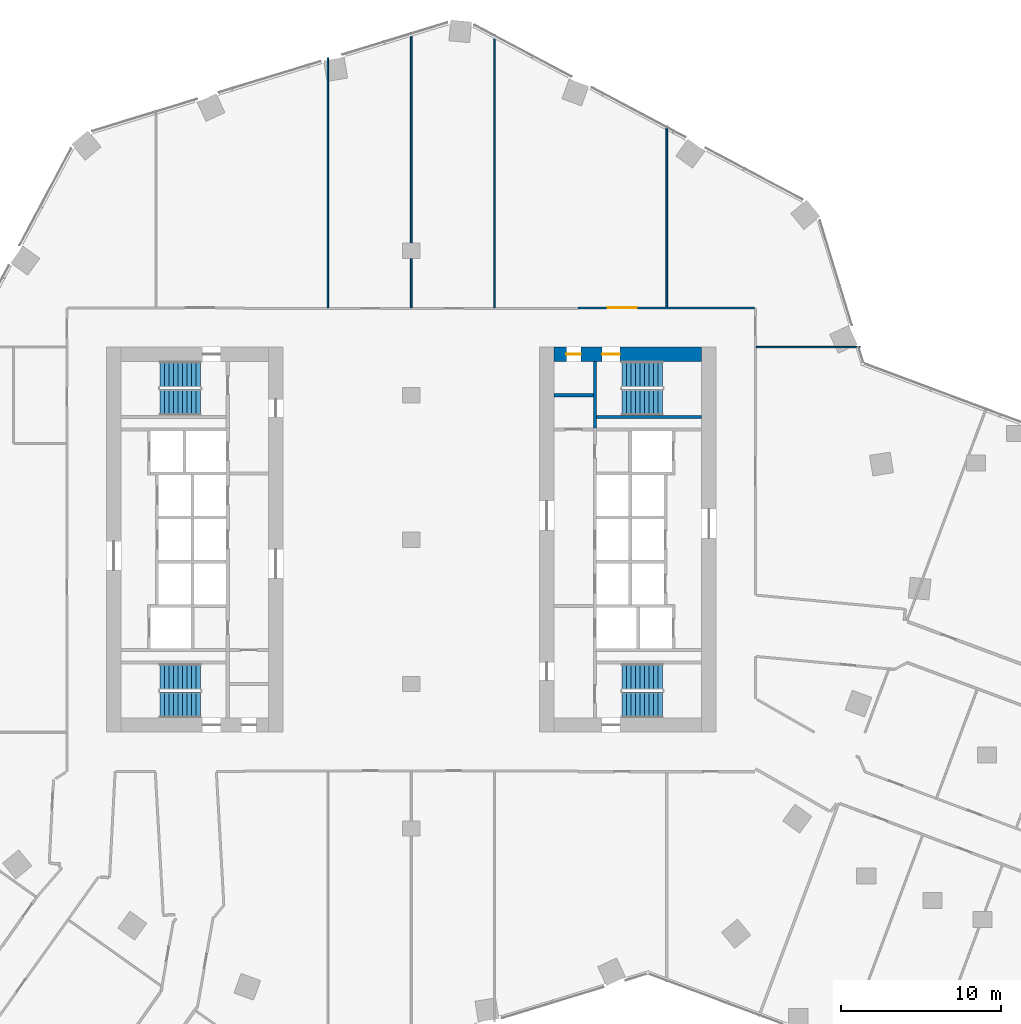
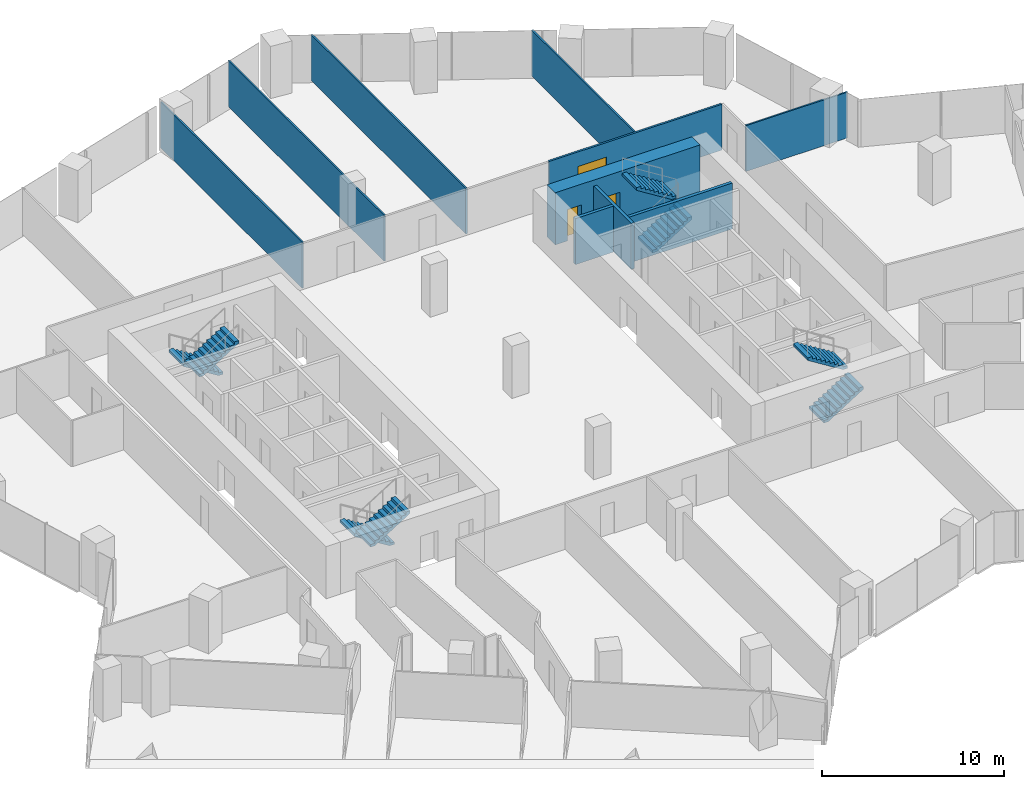
# One storey, part 28 of 31: 10 walls, 8 stair flights, 3 doors, 3 openings, 4 elements without a shape of their own.
"""IFC4 building model written with IfcOpenShell, lengths in metres."""

from ifc_helpers import new_model, si_unit, direction, frame, frame_2d, origin, place, context, subcontext, project, spatial, polyline, rectangle, outline, extrude, material, layer, layer_set, type_object, element, fill, aggregate, save


model = new_model("IFC4")

# Units and contexts
model_context = context("Model", 3, precision=1e-05, world=origin(), true_north=direction((0.0, 1.0)))
body_context = subcontext(model_context, "Body", "Model", "MODEL_VIEW")
ifc_project = project(units=[si_unit("LENGTHUNIT", "METRE"), si_unit("AREAUNIT", "SQUARE_METRE"), si_unit("VOLUMEUNIT", "CUBIC_METRE"), si_unit("PLANEANGLEUNIT", "RADIAN"), si_unit("MASSUNIT", "GRAM", prefix="KILO")], contexts=[model_context])

# Site, building, storey
site_placement = place(None, origin())
site = spatial("IfcSite", under=ifc_project, at=site_placement, CompositionType="ELEMENT")
building_placement = place(site_placement, origin())
building = spatial("IfcBuilding", under=site, at=building_placement, Name="Orlundy Tower", CompositionType="ELEMENT")
storey_placement = place(building_placement, frame((0.0, 0.0, 84.199951171875)))
storey = spatial("IfcBuildingStorey", under=building, at=storey_placement, Name="L20", CompositionType="ELEMENT", Elevation=84.199951171875)

# Wall, openings, doors
ifc_material_1 = material(Name="Concrete C80/95", Category="concrete")
ifc_layer_1 = layer(ifc_material_1, 0.89990234375)
ifc_layer_set_1 = layer_set([ifc_layer_1], Name="CORE WALL 900 C80/95")
wall_type_1 = type_object("IfcWallType", Name="CORE WALL 900 C80/95", PredefinedType="SHEAR", material=ifc_layer_set_1)
wall_1_placement = place(storey_placement, frame((8.89990234375, 11.550048828125, 0.0), z_axis=(0.0, 0.0, 1.0), x_axis=(1.0, 0.0, 0.0)))
wall_1 = element("IfcWall", 1, at=wall_1_placement, inside=storey, type_object=wall_type_1, Name="Core wall E-N L20", PredefinedType="SHEAR", context=body_context, shape_type="SweptSolid", body=[
    extrude(rectangle(XDim=9.2001953125, YDim=0.89990234375, at=frame_2d((4.60009765625, 0.0))), origin(), (0.0, 0.0, 1.0), 3.5),
])
opening_1_placement = place(wall_1_placement, frame((3.0, 0.0, 0.0)))
opening_1 = element("IfcOpeningElement", 2, at=opening_1_placement, cuts=wall_1, Name="Opening 17062", PredefinedType="OPENING", context=body_context, shape_type="SweptSolid", body=[
    extrude(rectangle(XDim=1.10009765625, YDim=2.10009765625, at=frame_2d((0.550048828125, 1.050048828125))), frame((0.0, 0.4599609375, 0.0), z_axis=(0.0, -1.0, 0.0), x_axis=(1.0, 0.0, 0.0)), (0.0, 0.0, 1.0), 0.919921875),
])
opening_2_placement = place(wall_1_placement, frame((0.77001953125, 0.0, 0.0)))
opening_2 = element("IfcOpeningElement", 3, at=opening_2_placement, cuts=wall_1, Name="Opening 17064", PredefinedType="OPENING", context=body_context, shape_type="SweptSolid", body=[
    extrude(rectangle(XDim=0.89990234375, YDim=2.10009765625, at=frame_2d((0.449951171875, 1.050048828125))), frame((0.0, 0.4599609375, 0.0), z_axis=(0.0, -1.0, 0.0), x_axis=(1.0, 0.0, 0.0)), (0.0, 0.0, 1.0), 0.919921875),
])
ifc_material_2 = material(Name="Timber door set", Category="wood")
door_type_1 = type_object("IfcDoorType", Name="Room Door 900x2100", OperationType="SINGLE_SWING_LEFT", PredefinedType="DOOR", material=ifc_material_2)
door_1_placement = place(opening_2_placement, origin())
door_1 = element("IfcDoor", 4, at=door_1_placement, inside=storey, type_object=door_type_1, Name="Store door 17064", OperationType="SINGLE_SWING_LEFT", OverallHeight=2.10009765625, OverallWidth=0.89990234375, PredefinedType="DOOR", context=body_context, shape_type="SweptSolid", body=[
    extrude(rectangle(XDim=0.89990234375, YDim=2.10009765625, at=frame_2d((0.449951171875, 1.050048828125))), frame((0.0, 0.02490234375, 0.0), z_axis=(0.0, -1.0, 0.0), x_axis=(1.0, 0.0, 0.0)), (0.0, 0.0, 1.0), 0.050048828125),
])
fill(opening_2, door_1)
ifc_material_3 = material(Name="Steel door set", Category="steel")
door_type_2 = type_object("IfcDoorType", Name="Stair Door 1100x2100", OperationType="SINGLE_SWING_LEFT", PredefinedType="DOOR", material=ifc_material_3)
door_2_placement = place(opening_1_placement, origin())
door_2 = element("IfcDoor", 5, at=door_2_placement, inside=storey, type_object=door_type_2, Name="Stair door 17062", OperationType="SINGLE_SWING_LEFT", OverallHeight=2.10009765625, OverallWidth=1.10009765625, PredefinedType="DOOR", context=body_context, shape_type="SweptSolid", body=[
    extrude(rectangle(XDim=1.10009765625, YDim=2.10009765625, at=frame_2d((0.550048828125, 1.050048828125))), frame((0.0, 0.02490234375, 0.0), z_axis=(0.0, -1.0, 0.0), x_axis=(1.0, 0.0, 0.0)), (0.0, 0.0, 1.0), 0.050048828125),
])
fill(opening_1, door_2)

# Walls
ifc_material_4 = material(Name="Gypsum board partition")
ifc_layer_2 = layer(ifc_material_4, 0.10009765625)
ifc_layer_set_2 = layer_set([ifc_layer_2], Name="Floor partition 100")
wall_type_2 = type_object("IfcWallType", Name="Floor partition 100", PredefinedType="PARTITIONING", material=ifc_layer_set_2)
wall_2_placement = place(storey_placement, frame((21.511962890625, 12.0, 0.0), z_axis=(0.0, 0.0, 1.0), x_axis=(1.0, 0.0, 0.0)))
element("IfcWall", 6, at=wall_2_placement, inside=storey, type_object=wall_type_2, Name="wall-int-L20-038", PredefinedType="PARTITIONING", context=body_context, shape_type="SweptSolid", body=[
    extrude(rectangle(XDim=6.450927734375, YDim=0.10009765625, at=frame_2d((3.2255859375, 0.0))), origin(), (0.0, 0.0, 1.0), 3.080078125),
])
wall_3_placement = place(storey_placement, frame((15.9208984375, 14.513916015625, 0.0), z_axis=(0.0, 0.0, 1.0), x_axis=(0.0, 1.0, 0.0)))
element("IfcWall", 7, at=wall_3_placement, inside=storey, type_object=wall_type_2, Name="wall-int-L20-080", PredefinedType="PARTITIONING", context=body_context, shape_type="SweptSolid", body=[
    extrude(rectangle(XDim=11.281005859375, YDim=0.10009765625, at=frame_2d((5.640625, 0.0))), origin(), (0.0, 0.0, 1.0), 3.080078125),
])
wall_4_placement = place(storey_placement, frame((5.196044921875, 14.462890625, 0.0), z_axis=(0.0, 0.0, 1.0), x_axis=(0.0, 1.0, 0.0)))
element("IfcWall", 8, at=wall_4_placement, inside=storey, type_object=wall_type_2, Name="wall-int-L20-082", PredefinedType="PARTITIONING", context=body_context, shape_type="SweptSolid", body=[
    extrude(rectangle(XDim=17.0341796875, YDim=0.10009765625, at=frame_2d((8.51708984375, 0.0))), origin(), (0.0, 0.0, 1.0), 3.080078125),
])
wall_5_placement = place(storey_placement, frame((0.0, 14.462890625, 0.0), z_axis=(0.0, 0.0, 1.0), x_axis=(0.0, 1.0, 0.0)))
element("IfcWall", 9, at=wall_5_placement, inside=storey, type_object=wall_type_2, Name="wall-int-L20-084", PredefinedType="PARTITIONING", context=body_context, shape_type="SweptSolid", body=[
    extrude(rectangle(XDim=17.169189453125, YDim=0.10009765625, at=frame_2d((8.58447265625, 0.0))), origin(), (0.0, 0.0, 1.0), 3.080078125),
])
wall_6_placement = place(storey_placement, frame((-5.195068359375, 14.462890625, 0.0), z_axis=(0.0, 0.0, 1.0), x_axis=(0.0, 1.0, 0.0)))
element("IfcWall", 10, at=wall_6_placement, inside=storey, type_object=wall_type_2, Name="wall-int-L20-086", PredefinedType="PARTITIONING", context=body_context, shape_type="SweptSolid", body=[
    extrude(rectangle(XDim=15.5810546875, YDim=0.10009765625, at=frame_2d((7.79052734375, 0.0))), origin(), (0.0, 0.0, 1.0), 3.080078125),
])

# Wall, opening, door
ifc_material_5 = material(Name="Gypsum board partition, double layer")
ifc_layer_3 = layer(ifc_material_5, 0.125)
ifc_layer_set_3 = layer_set([ifc_layer_3], Name="Floor partition 125")
wall_type_3 = type_object("IfcWallType", Name="Floor partition 125", PredefinedType="PARTITIONING", material=ifc_layer_set_3)
wall_7_placement = place(storey_placement, frame((10.39111328125, 14.450927734375, 0.0), z_axis=(0.0, 0.0, 1.0), x_axis=(1.0, 0.0, 0.0)))
wall_7 = element("IfcWall", 11, at=wall_7_placement, inside=storey, type_object=wall_type_3, Name="wall-int-L20-041", PredefinedType="PARTITIONING", context=body_context, shape_type="SweptSolid", body=[
    extrude(rectangle(XDim=10.995849609375, YDim=0.125, at=frame_2d((5.498046875, 0.0))), origin(), (0.0, 0.0, 1.0), 3.080078125),
])
opening_3_placement = place(wall_7_placement, frame((1.85009765625, 0.0, 0.0)))
opening_3 = element("IfcOpeningElement", 12, at=opening_3_placement, cuts=wall_7, Name="Opening 17133", PredefinedType="OPENING", context=body_context, shape_type="SweptSolid", body=[
    extrude(rectangle(XDim=1.800048828125, YDim=2.10009765625, at=frame_2d((0.89990234375, 1.050048828125))), frame((0.0, 0.072509765625, 0.0), z_axis=(0.0, -1.0, 0.0), x_axis=(1.0, 0.0, 0.0)), (0.0, 0.0, 1.0), 0.14501953125),
])
ifc_material_6 = material(Name="Timber door leaf", Category="wood")
door_type_3 = type_object("IfcDoorType", Name="Floor door double 1800 FD30S", OperationType="NOTDEFINED", PredefinedType="DOOR", material=ifc_material_6)
door_3_placement = place(opening_3_placement, origin())
door_3 = element("IfcDoor", 13, at=door_3_placement, inside=storey, type_object=door_type_3, Name="Door 17133", OperationType="DOUBLE_DOOR_SINGLE_SWING", OverallHeight=2.10009765625, OverallWidth=1.800048828125, PredefinedType="DOOR", context=body_context, shape_type="SweptSolid", body=[
    extrude(rectangle(XDim=1.800048828125, YDim=2.10009765625, at=frame_2d((0.89990234375, 1.050048828125))), frame((0.0, 0.02490234375, 0.0), z_axis=(0.0, -1.0, 0.0), x_axis=(1.0, 0.0, 0.0)), (0.0, 0.0, 1.0), 0.050048828125),
])
fill(opening_3, door_3)

# Walls
ifc_material_7 = material(Name="Concrete C40/50", Category="concrete")
ifc_layer_4 = layer(ifc_material_7, 0.199951171875)
ifc_layer_set_4 = layer_set([ifc_layer_4], Name="Load-bearing Shaft Wall 200")
wall_type_4 = type_object("IfcWallType", Name="Load-bearing Shaft Wall 200", PredefinedType="SOLIDWALL", material=ifc_layer_set_4)
wall_8_placement = place(storey_placement, frame((11.43994140625, 11.10009765625, 0.0), z_axis=(0.0, 0.0, 1.0), x_axis=(0.0, -1.0, 0.0)))
element("IfcWall", 14, at=wall_8_placement, inside=storey, type_object=wall_type_4, Name="Shaft wall E17-stair-end-s", PredefinedType="SOLIDWALL", context=body_context, shape_type="SweptSolid", body=[
    extrude(rectangle(XDim=4.125, YDim=0.199951171875, at=frame_2d((2.0625, 0.0))), origin(), (0.0, 0.0, 1.0), 3.090087890625),
])
wall_9_placement = place(storey_placement, frame((11.5400390625, 7.64990234375, 0.0), z_axis=(0.0, 0.0, 1.0), x_axis=(1.0, 0.0, 0.0)))
element("IfcWall", 15, at=wall_9_placement, inside=storey, type_object=wall_type_4, Name="Shaft wall E17-stair-side-s", PredefinedType="SOLIDWALL", context=body_context, shape_type="SweptSolid", body=[
    extrude(rectangle(XDim=6.56005859375, YDim=0.199951171875, at=frame_2d((3.280029296875, 0.0))), origin(), (0.0, 0.0, 1.0), 3.090087890625),
])
ifc_material_8 = material(Name="Gypsum board partition on steel studs", Category="steel")
ifc_layer_5 = layer(ifc_material_8, 0.199951171875)
ifc_layer_set_5 = layer_set([ifc_layer_5], Name="Partition 200")
wall_type_5 = type_object("IfcWallType", Name="Partition 200", PredefinedType="PARTITIONING", material=ifc_layer_set_5)
wall_10_placement = place(storey_placement, frame((8.89990234375, 9.0, 0.0), z_axis=(0.0, 0.0, 1.0), x_axis=(1.0, 0.0, 0.0)))
element("IfcWall", 16, at=wall_10_placement, inside=storey, type_object=wall_type_5, Name="Partition wall E17-room-s0", PredefinedType="PARTITIONING", context=body_context, shape_type="SweptSolid", body=[
    extrude(rectangle(XDim=2.440185546875, YDim=0.199951171875, at=frame_2d((1.22021484375, 0.0))), origin(), (0.0, 0.0, 1.0), 3.090087890625),
])

# Stair, stair flights
ifc_material_9 = material(Name="Concrete C50/60", Category="concrete")
stair_type = type_object("IfcStairType", Name="Exit Stair 20 risers", PredefinedType="HALF_TURN_STAIR", material=ifc_material_9)
stair_1_placement = place(storey_placement, origin())
stair_1 = element("IfcStair", 17, at=stair_1_placement, inside=storey, type_object=stair_type, Name="L20 Exit Stair ST-W1", PredefinedType="HALF_TURN_STAIR")
ifc_material_10 = material(Name="Concrete C50/60", Category="concrete")
stair_flight_type = type_object("IfcStairFlightType", Name="Stair Flight 10 risers", PredefinedType="STRAIGHT", material=ifc_material_10)
stair_flight_1_placement = place(storey_placement, frame((-13.139892578125, 10.300048828125, 0.0), z_axis=(0.0, 0.0, 1.0), x_axis=(-1.0, 0.0, 0.0)))
stair_flight_1 = element("IfcStairFlight", 18, at=stair_flight_1_placement, type_object=stair_flight_type, Name="ST-W1 flight 1", NumberOfRisers=10, NumberOfTreads=9, PredefinedType="STRAIGHT", RiserHeight=0.175, TreadLength=0.28, context=body_context, shape_type="SweptSolid", body=[
    extrude(outline(polyline([(0.0, 0.0), (0.0, 0.175048828125), (0.280029296875, 0.175048828125), (0.280029296875, 0.35009765625), (0.56005859375, 0.35009765625), (0.56005859375, 0.52490234375), (0.840087890625, 0.52490234375), (0.840087890625, 0.699951171875), (1.1201171875, 0.699951171875), (1.1201171875, 0.875), (1.39990234375, 0.875), (1.39990234375, 1.050048828125), (1.679931640625, 1.050048828125), (1.679931640625, 1.22509765625), (1.9599609375, 1.22509765625), (1.9599609375, 1.39990234375), (2.239990234375, 1.39990234375), (2.239990234375, 1.574951171875), (2.52001953125, 1.574951171875), (2.52001953125, 1.75), (2.52001953125, 1.398193359375), (0.28271484375, 0.0), (0.0, 0.0)])), frame((0.0, 0.800048828125, 0.0), z_axis=(0.0, -1.0, 0.0), x_axis=(1.0, 0.0, 0.0)), (0.0, 0.0, 1.0), 1.60009765625),
])
stair_flight_2_placement = place(storey_placement, frame((-15.659912109375, 8.550048828125, 1.75), z_axis=(0.0, 0.0, 1.0), x_axis=(1.0, 0.0, 0.0)))
stair_flight_2 = element("IfcStairFlight", 19, at=stair_flight_2_placement, type_object=stair_flight_type, Name="ST-W1 flight 2", NumberOfRisers=10, NumberOfTreads=9, PredefinedType="STRAIGHT", RiserHeight=0.175, TreadLength=0.28, context=body_context, shape_type="SweptSolid", body=[
    extrude(outline(polyline([(0.0, 0.0), (0.0, 0.175048828125), (0.280029296875, 0.175048828125), (0.280029296875, 0.35009765625), (0.56005859375, 0.35009765625), (0.56005859375, 0.52490234375), (0.840087890625, 0.52490234375), (0.840087890625, 0.699951171875), (1.1201171875, 0.699951171875), (1.1201171875, 0.875), (1.39990234375, 0.875), (1.39990234375, 1.050048828125), (1.679931640625, 1.050048828125), (1.679931640625, 1.22509765625), (1.9599609375, 1.22509765625), (1.9599609375, 1.39990234375), (2.239990234375, 1.39990234375), (2.239990234375, 1.574951171875), (2.52001953125, 1.574951171875), (2.52001953125, 1.75), (2.52001953125, 1.398193359375), (0.28271484375, 0.0), (0.0, 0.0)])), frame((0.0, 0.800048828125, 0.0), z_axis=(0.0, -1.0, 0.0), x_axis=(1.0, 0.0, 0.0)), (0.0, 0.0, 1.0), 1.60009765625),
])
aggregate(stair_1, [stair_flight_1, stair_flight_2])

stair_2_placement = place(storey_placement, origin())
stair_2 = element("IfcStair", 20, at=stair_2_placement, inside=storey, type_object=stair_type, Name="L20 Exit Stair ST-W2", PredefinedType="HALF_TURN_STAIR")
stair_flight_3_placement = place(storey_placement, frame((-13.139892578125, -8.550048828125, 0.0), z_axis=(0.0, 0.0, 1.0), x_axis=(-1.0, 0.0, 0.0)))
stair_flight_3 = element("IfcStairFlight", 21, at=stair_flight_3_placement, type_object=stair_flight_type, Name="ST-W2 flight 1", NumberOfRisers=10, NumberOfTreads=9, PredefinedType="STRAIGHT", RiserHeight=0.175, TreadLength=0.28, context=body_context, shape_type="SweptSolid", body=[
    extrude(outline(polyline([(0.0, 0.0), (0.0, 0.175048828125), (0.280029296875, 0.175048828125), (0.280029296875, 0.35009765625), (0.56005859375, 0.35009765625), (0.56005859375, 0.52490234375), (0.840087890625, 0.52490234375), (0.840087890625, 0.699951171875), (1.1201171875, 0.699951171875), (1.1201171875, 0.875), (1.39990234375, 0.875), (1.39990234375, 1.050048828125), (1.679931640625, 1.050048828125), (1.679931640625, 1.22509765625), (1.9599609375, 1.22509765625), (1.9599609375, 1.39990234375), (2.239990234375, 1.39990234375), (2.239990234375, 1.574951171875), (2.52001953125, 1.574951171875), (2.52001953125, 1.75), (2.52001953125, 1.398193359375), (0.28271484375, 0.0), (0.0, 0.0)])), frame((0.0, 0.800048828125, 0.0), z_axis=(0.0, -1.0, 0.0), x_axis=(1.0, 0.0, 0.0)), (0.0, 0.0, 1.0), 1.60009765625),
])
stair_flight_4_placement = place(storey_placement, frame((-15.659912109375, -10.300048828125, 1.75), z_axis=(0.0, 0.0, 1.0), x_axis=(1.0, 0.0, 0.0)))
stair_flight_4 = element("IfcStairFlight", 22, at=stair_flight_4_placement, type_object=stair_flight_type, Name="ST-W2 flight 2", NumberOfRisers=10, NumberOfTreads=9, PredefinedType="STRAIGHT", RiserHeight=0.175, TreadLength=0.28, context=body_context, shape_type="SweptSolid", body=[
    extrude(outline(polyline([(0.0, 0.0), (0.0, 0.175048828125), (0.280029296875, 0.175048828125), (0.280029296875, 0.35009765625), (0.56005859375, 0.35009765625), (0.56005859375, 0.52490234375), (0.840087890625, 0.52490234375), (0.840087890625, 0.699951171875), (1.1201171875, 0.699951171875), (1.1201171875, 0.875), (1.39990234375, 0.875), (1.39990234375, 1.050048828125), (1.679931640625, 1.050048828125), (1.679931640625, 1.22509765625), (1.9599609375, 1.22509765625), (1.9599609375, 1.39990234375), (2.239990234375, 1.39990234375), (2.239990234375, 1.574951171875), (2.52001953125, 1.574951171875), (2.52001953125, 1.75), (2.52001953125, 1.398193359375), (0.28271484375, 0.0), (0.0, 0.0)])), frame((0.0, 0.800048828125, 0.0), z_axis=(0.0, -1.0, 0.0), x_axis=(1.0, 0.0, 0.0)), (0.0, 0.0, 1.0), 1.60009765625),
])
aggregate(stair_2, [stair_flight_3, stair_flight_4])

stair_3_placement = place(storey_placement, origin())
stair_3 = element("IfcStair", 23, at=stair_3_placement, inside=storey, type_object=stair_type, Name="L20 Exit Stair ST-E1", PredefinedType="HALF_TURN_STAIR")
stair_flight_5_placement = place(storey_placement, frame((13.139892578125, -10.300048828125, 0.0), z_axis=(0.0, 0.0, 1.0), x_axis=(1.0, 0.0, 0.0)))
stair_flight_5 = element("IfcStairFlight", 24, at=stair_flight_5_placement, type_object=stair_flight_type, Name="ST-E1 flight 1", NumberOfRisers=10, NumberOfTreads=9, PredefinedType="STRAIGHT", RiserHeight=0.175, TreadLength=0.28, context=body_context, shape_type="SweptSolid", body=[
    extrude(outline(polyline([(0.0, 0.0), (0.0, 0.175048828125), (0.280029296875, 0.175048828125), (0.280029296875, 0.35009765625), (0.56005859375, 0.35009765625), (0.56005859375, 0.52490234375), (0.840087890625, 0.52490234375), (0.840087890625, 0.699951171875), (1.1201171875, 0.699951171875), (1.1201171875, 0.875), (1.39990234375, 0.875), (1.39990234375, 1.050048828125), (1.679931640625, 1.050048828125), (1.679931640625, 1.22509765625), (1.9599609375, 1.22509765625), (1.9599609375, 1.39990234375), (2.239990234375, 1.39990234375), (2.239990234375, 1.574951171875), (2.52001953125, 1.574951171875), (2.52001953125, 1.75), (2.52001953125, 1.398193359375), (0.28271484375, 0.0), (0.0, 0.0)])), frame((0.0, 0.800048828125, 0.0), z_axis=(0.0, -1.0, 0.0), x_axis=(1.0, 0.0, 0.0)), (0.0, 0.0, 1.0), 1.60009765625),
])
stair_flight_6_placement = place(storey_placement, frame((15.659912109375, -8.550048828125, 1.75), z_axis=(0.0, 0.0, 1.0), x_axis=(-1.0, 0.0, 0.0)))
stair_flight_6 = element("IfcStairFlight", 25, at=stair_flight_6_placement, type_object=stair_flight_type, Name="ST-E1 flight 2", NumberOfRisers=10, NumberOfTreads=9, PredefinedType="STRAIGHT", RiserHeight=0.175, TreadLength=0.28, context=body_context, shape_type="SweptSolid", body=[
    extrude(outline(polyline([(0.0, 0.0), (0.0, 0.175048828125), (0.280029296875, 0.175048828125), (0.280029296875, 0.35009765625), (0.56005859375, 0.35009765625), (0.56005859375, 0.52490234375), (0.840087890625, 0.52490234375), (0.840087890625, 0.699951171875), (1.1201171875, 0.699951171875), (1.1201171875, 0.875), (1.39990234375, 0.875), (1.39990234375, 1.050048828125), (1.679931640625, 1.050048828125), (1.679931640625, 1.22509765625), (1.9599609375, 1.22509765625), (1.9599609375, 1.39990234375), (2.239990234375, 1.39990234375), (2.239990234375, 1.574951171875), (2.52001953125, 1.574951171875), (2.52001953125, 1.75), (2.52001953125, 1.398193359375), (0.28271484375, 0.0), (0.0, 0.0)])), frame((0.0, 0.800048828125, 0.0), z_axis=(0.0, -1.0, 0.0), x_axis=(1.0, 0.0, 0.0)), (0.0, 0.0, 1.0), 1.60009765625),
])
aggregate(stair_3, [stair_flight_5, stair_flight_6])

stair_4_placement = place(storey_placement, origin())
stair_4 = element("IfcStair", 26, at=stair_4_placement, inside=storey, type_object=stair_type, Name="L20 Exit Stair ST-E2", PredefinedType="HALF_TURN_STAIR")
stair_flight_7_placement = place(storey_placement, frame((13.139892578125, 8.550048828125, 0.0), z_axis=(0.0, 0.0, 1.0), x_axis=(1.0, 0.0, 0.0)))
stair_flight_7 = element("IfcStairFlight", 27, at=stair_flight_7_placement, type_object=stair_flight_type, Name="ST-E2 flight 1", NumberOfRisers=10, NumberOfTreads=9, PredefinedType="STRAIGHT", RiserHeight=0.175, TreadLength=0.28, context=body_context, shape_type="SweptSolid", body=[
    extrude(outline(polyline([(0.0, 0.0), (0.0, 0.175048828125), (0.280029296875, 0.175048828125), (0.280029296875, 0.35009765625), (0.56005859375, 0.35009765625), (0.56005859375, 0.52490234375), (0.840087890625, 0.52490234375), (0.840087890625, 0.699951171875), (1.1201171875, 0.699951171875), (1.1201171875, 0.875), (1.39990234375, 0.875), (1.39990234375, 1.050048828125), (1.679931640625, 1.050048828125), (1.679931640625, 1.22509765625), (1.9599609375, 1.22509765625), (1.9599609375, 1.39990234375), (2.239990234375, 1.39990234375), (2.239990234375, 1.574951171875), (2.52001953125, 1.574951171875), (2.52001953125, 1.75), (2.52001953125, 1.398193359375), (0.28271484375, 0.0), (0.0, 0.0)])), frame((0.0, 0.800048828125, 0.0), z_axis=(0.0, -1.0, 0.0), x_axis=(1.0, 0.0, 0.0)), (0.0, 0.0, 1.0), 1.60009765625),
])
stair_flight_8_placement = place(storey_placement, frame((15.659912109375, 10.300048828125, 1.75), z_axis=(0.0, 0.0, 1.0), x_axis=(-1.0, 0.0, 0.0)))
stair_flight_8 = element("IfcStairFlight", 28, at=stair_flight_8_placement, type_object=stair_flight_type, Name="ST-E2 flight 2", NumberOfRisers=10, NumberOfTreads=9, PredefinedType="STRAIGHT", RiserHeight=0.175, TreadLength=0.28, context=body_context, shape_type="SweptSolid", body=[
    extrude(outline(polyline([(0.0, 0.0), (0.0, 0.175048828125), (0.280029296875, 0.175048828125), (0.280029296875, 0.35009765625), (0.56005859375, 0.35009765625), (0.56005859375, 0.52490234375), (0.840087890625, 0.52490234375), (0.840087890625, 0.699951171875), (1.1201171875, 0.699951171875), (1.1201171875, 0.875), (1.39990234375, 0.875), (1.39990234375, 1.050048828125), (1.679931640625, 1.050048828125), (1.679931640625, 1.22509765625), (1.9599609375, 1.22509765625), (1.9599609375, 1.39990234375), (2.239990234375, 1.39990234375), (2.239990234375, 1.574951171875), (2.52001953125, 1.574951171875), (2.52001953125, 1.75), (2.52001953125, 1.398193359375), (0.28271484375, 0.0), (0.0, 0.0)])), frame((0.0, 0.800048828125, 0.0), z_axis=(0.0, -1.0, 0.0), x_axis=(1.0, 0.0, 0.0)), (0.0, 0.0, 1.0), 1.60009765625),
])
aggregate(stair_4, [stair_flight_7, stair_flight_8])

save(model, "model.ifc")
